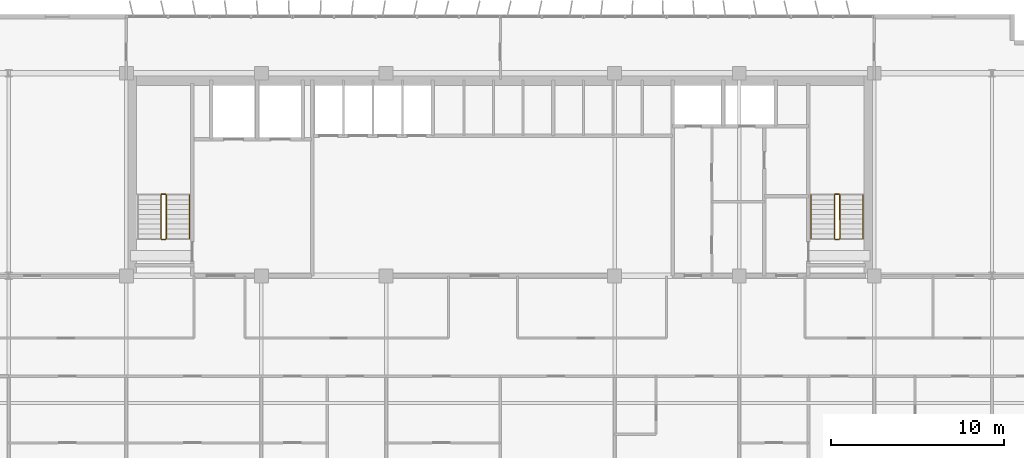
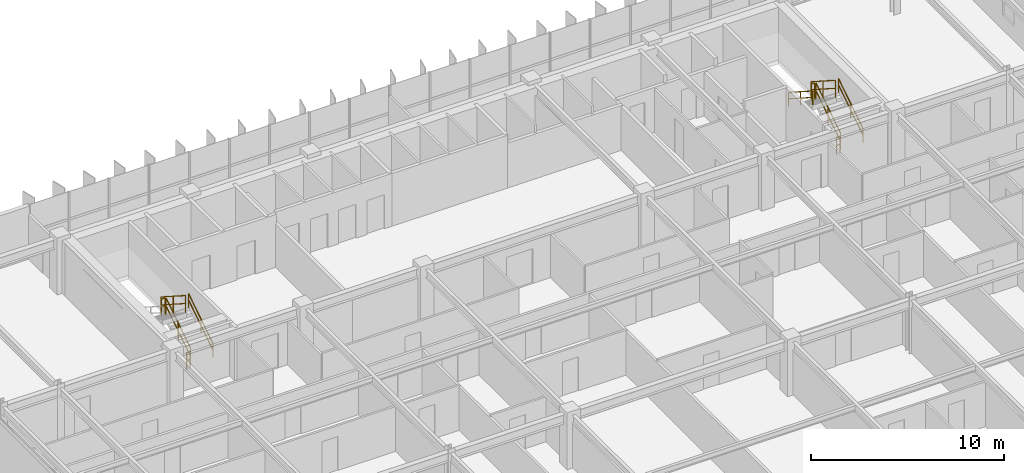
# One storey, part 20 of 21: 11 railings.
"""IFC4 building model written with IfcOpenShell, lengths in metres."""

from ifc_helpers import new_model, si_unit, direction, frame, origin, origin_2d, place, context, subcontext, project, spatial, rectangle, extrude, material, type_object, element, save


model = new_model("IFC4")

# Units and contexts
model_context = context("Model", 3, precision=1e-05, world=origin(), true_north=direction((0.0, 1.0)))
body_context = subcontext(model_context, "Body", "Model", "MODEL_VIEW")
ifc_project = project(units=[si_unit("LENGTHUNIT", "METRE"), si_unit("AREAUNIT", "SQUARE_METRE"), si_unit("VOLUMEUNIT", "CUBIC_METRE"), si_unit("PLANEANGLEUNIT", "RADIAN"), si_unit("MASSUNIT", "GRAM", prefix="KILO")], contexts=[model_context])

# Site, building, storey
site_placement = place(None, origin())
site = spatial("IfcSite", under=ifc_project, at=site_placement, CompositionType="ELEMENT")
building_placement = place(site_placement, origin())
building = spatial("IfcBuilding", under=site, at=building_placement, Name="Trelvane Seafront Commons", CompositionType="ELEMENT")
storey_placement = place(building_placement, frame((0.0, 0.0, 106.89990234375)))
storey = spatial("IfcBuildingStorey", under=building, at=storey_placement, Name="L27", CompositionType="ELEMENT", Elevation=106.89990234375)

# Railings
ifc_material = material(Name="Stainless steel balustrade", Category="steel")
railing_type_1 = type_object("IfcRailingType", Name="ARCH-SRL-GUARD", PredefinedType="GUARDRAIL", material=ifc_material)
railing_1_placement = place(storey_placement, frame((17.89990234375, 35.550048828125, 0.18017578125)))
element("IfcRailing", 1, at=railing_1_placement, inside=storey, type_object=railing_type_1, Name="L27 ST-1 stair guard 1", PredefinedType="GUARDRAIL", context=body_context, shape_type="SweptSolid", body=[
    extrude(rectangle(XDim=0.048095703125, YDim=0.048095703125, at=origin_2d()), frame((0.0, 0.0, 1.076171875), z_axis=(0.0, 0.841199657755, 0.540724639528), x_axis=(-1.0, 0.0, 0.0)), (0.0, 0.0, 1.0), 2.995849609375),
    extrude(rectangle(XDim=0.048095703125, YDim=0.048095703125, at=origin_2d()), frame((0.0, 0.0, 0.572021484375), z_axis=(0.0, 0.841199657755, 0.540724639528), x_axis=(-1.0, 0.0, 0.0)), (0.0, 0.0, 1.0), 2.995849609375),
    extrude(rectangle(XDim=0.0419921875, YDim=0.0419921875, at=origin_2d()), origin(), (0.0, 0.0, 1.0), 1.076171875),
    extrude(rectangle(XDim=0.0419921875, YDim=0.0419921875, at=origin_2d()), frame((0.0, 1.260009765625, 0.81005859375)), (0.0, 0.0, 1.0), 1.076171875),
    extrude(rectangle(XDim=0.0419921875, YDim=0.0419921875, at=origin_2d()), frame((0.0, 2.52001953125, 1.619873046875)), (0.0, 0.0, 1.0), 1.076171875),
])
railing_2_placement = place(storey_placement, frame((17.85009765625, 38.1201171875, 1.800048828125)))
element("IfcRailing", 2, at=railing_2_placement, inside=storey, type_object=railing_type_1, Name="L27 ST-1 stair guard 2", PredefinedType="GUARDRAIL", context=body_context, shape_type="SweptSolid", body=[
    extrude(rectangle(XDim=0.048095703125, YDim=0.048095703125, at=origin_2d()), frame((0.0, 0.0, 1.076171875), z_axis=(-1.0, 0.0, 0.0), x_axis=(0.0, -1.0, 0.0)), (0.0, 0.0, 1.0), 0.2001953125),
    extrude(rectangle(XDim=0.048095703125, YDim=0.048095703125, at=origin_2d()), frame((0.0, 0.0, 0.572021484375), z_axis=(-1.0, 0.0, 0.0), x_axis=(0.0, -1.0, 0.0)), (0.0, 0.0, 1.0), 0.2001953125),
    extrude(rectangle(XDim=0.0419921875, YDim=0.0419921875, at=origin_2d()), origin(), (0.0, 0.0, 1.0), 1.076171875),
    extrude(rectangle(XDim=0.0419921875, YDim=0.0419921875, at=origin_2d()), frame((-0.2001953125, 0.0, 0.0)), (0.0, 0.0, 1.0), 1.076171875),
])
railing_3_placement = place(storey_placement, frame((17.60009765625, 38.070068359375, 1.97998046875)))
element("IfcRailing", 3, at=railing_3_placement, inside=storey, type_object=railing_type_1, Name="L27 ST-1 stair guard 3", PredefinedType="GUARDRAIL", context=body_context, shape_type="SweptSolid", body=[
    extrude(rectangle(XDim=0.048095703125, YDim=0.048095703125, at=origin_2d()), frame((0.0, 0.0, 1.076171875), z_axis=(0.0, -0.841162588446, 0.540782303519), x_axis=(1.0, 0.0, 0.0)), (0.0, 0.0, 1.0), 2.995849609375),
    extrude(rectangle(XDim=0.048095703125, YDim=0.048095703125, at=origin_2d()), frame((0.0, 0.0, 0.572021484375), z_axis=(0.0, -0.841162588446, 0.540782303519), x_axis=(1.0, 0.0, 0.0)), (0.0, 0.0, 1.0), 2.995849609375),
    extrude(rectangle(XDim=0.0419921875, YDim=0.0419921875, at=origin_2d()), origin(), (0.0, 0.0, 1.0), 1.076171875),
    extrude(rectangle(XDim=0.0419921875, YDim=0.0419921875, at=origin_2d()), frame((0.0, -1.260009765625, 0.81005859375)), (0.0, 0.0, 1.0), 1.076171875),
    extrude(rectangle(XDim=0.0419921875, YDim=0.0419921875, at=origin_2d()), frame((0.0, -2.52001953125, 1.6201171875)), (0.0, 0.0, 1.0), 1.076171875),
])
railing_4_placement = place(storey_placement, frame((17.85009765625, 35.5, 0.0)))
element("IfcRailing", 4, at=railing_4_placement, inside=storey, type_object=railing_type_1, Name="L27 ST-1 stair guard 4", PredefinedType="GUARDRAIL", context=body_context, shape_type="SweptSolid", body=[
    extrude(rectangle(XDim=0.048095703125, YDim=0.048095703125, at=origin_2d()), frame((0.0, 0.0, 1.076171875), z_axis=(-1.0, 0.0, 0.0), x_axis=(0.0, -1.0, 0.0)), (0.0, 0.0, 1.0), 0.2001953125),
    extrude(rectangle(XDim=0.048095703125, YDim=0.048095703125, at=origin_2d()), frame((0.0, 0.0, 0.572021484375), z_axis=(-1.0, 0.0, 0.0), x_axis=(0.0, -1.0, 0.0)), (0.0, 0.0, 1.0), 0.2001953125),
    extrude(rectangle(XDim=0.0419921875, YDim=0.0419921875, at=origin_2d()), origin(), (0.0, 0.0, 1.0), 1.076171875),
    extrude(rectangle(XDim=0.0419921875, YDim=0.0419921875, at=origin_2d()), frame((-0.2001953125, 0.0, 0.0)), (0.0, 0.0, 1.0), 1.076171875),
])
railing_5_placement = place(storey_placement, frame((56.800048828125, 35.550048828125, 0.18017578125)))
element("IfcRailing", 5, at=railing_5_placement, inside=storey, type_object=railing_type_1, Name="L27 ST-2 stair guard 1", PredefinedType="GUARDRAIL", context=body_context, shape_type="SweptSolid", body=[
    extrude(rectangle(XDim=0.048095703125, YDim=0.048095703125, at=origin_2d()), frame((0.0, 0.0, 1.076171875), z_axis=(0.0, 0.841199657755, 0.540724639528), x_axis=(-1.0, 0.0, 0.0)), (0.0, 0.0, 1.0), 2.995849609375),
    extrude(rectangle(XDim=0.048095703125, YDim=0.048095703125, at=origin_2d()), frame((0.0, 0.0, 0.572021484375), z_axis=(0.0, 0.841199657755, 0.540724639528), x_axis=(-1.0, 0.0, 0.0)), (0.0, 0.0, 1.0), 2.995849609375),
    extrude(rectangle(XDim=0.0419921875, YDim=0.0419921875, at=origin_2d()), origin(), (0.0, 0.0, 1.0), 1.076171875),
    extrude(rectangle(XDim=0.0419921875, YDim=0.0419921875, at=origin_2d()), frame((0.0, 1.260009765625, 0.81005859375)), (0.0, 0.0, 1.0), 1.076171875),
    extrude(rectangle(XDim=0.0419921875, YDim=0.0419921875, at=origin_2d()), frame((0.0, 2.52001953125, 1.619873046875)), (0.0, 0.0, 1.0), 1.076171875),
])
railing_6_placement = place(storey_placement, frame((56.75, 38.1201171875, 1.800048828125)))
element("IfcRailing", 6, at=railing_6_placement, inside=storey, type_object=railing_type_1, Name="L27 ST-2 stair guard 2", PredefinedType="GUARDRAIL", context=body_context, shape_type="SweptSolid", body=[
    extrude(rectangle(XDim=0.048095703125, YDim=0.048095703125, at=origin_2d()), frame((0.0, 0.0, 1.076171875), z_axis=(-1.0, 0.0, 0.0), x_axis=(0.0, -1.0, 0.0)), (0.0, 0.0, 1.0), 0.199951171875),
    extrude(rectangle(XDim=0.048095703125, YDim=0.048095703125, at=origin_2d()), frame((0.0, 0.0, 0.572021484375), z_axis=(-1.0, 0.0, 0.0), x_axis=(0.0, -1.0, 0.0)), (0.0, 0.0, 1.0), 0.199951171875),
    extrude(rectangle(XDim=0.0419921875, YDim=0.0419921875, at=origin_2d()), origin(), (0.0, 0.0, 1.0), 1.076171875),
    extrude(rectangle(XDim=0.0419921875, YDim=0.0419921875, at=origin_2d()), frame((-0.199951171875, 0.0, 0.0)), (0.0, 0.0, 1.0), 1.076171875),
])
railing_7_placement = place(storey_placement, frame((56.5, 38.070068359375, 1.97998046875)))
element("IfcRailing", 7, at=railing_7_placement, inside=storey, type_object=railing_type_1, Name="L27 ST-2 stair guard 3", PredefinedType="GUARDRAIL", context=body_context, shape_type="SweptSolid", body=[
    extrude(rectangle(XDim=0.048095703125, YDim=0.048095703125, at=origin_2d()), frame((0.0, 0.0, 1.076171875), z_axis=(0.0, -0.841162588446, 0.540782303519), x_axis=(1.0, 0.0, 0.0)), (0.0, 0.0, 1.0), 2.995849609375),
    extrude(rectangle(XDim=0.048095703125, YDim=0.048095703125, at=origin_2d()), frame((0.0, 0.0, 0.572021484375), z_axis=(0.0, -0.841162588446, 0.540782303519), x_axis=(1.0, 0.0, 0.0)), (0.0, 0.0, 1.0), 2.995849609375),
    extrude(rectangle(XDim=0.0419921875, YDim=0.0419921875, at=origin_2d()), origin(), (0.0, 0.0, 1.0), 1.076171875),
    extrude(rectangle(XDim=0.0419921875, YDim=0.0419921875, at=origin_2d()), frame((0.0, -1.260009765625, 0.81005859375)), (0.0, 0.0, 1.0), 1.076171875),
    extrude(rectangle(XDim=0.0419921875, YDim=0.0419921875, at=origin_2d()), frame((0.0, -2.52001953125, 1.6201171875)), (0.0, 0.0, 1.0), 1.076171875),
])
railing_8_placement = place(storey_placement, frame((56.75, 35.5, 0.0)))
element("IfcRailing", 8, at=railing_8_placement, inside=storey, type_object=railing_type_1, Name="L27 ST-2 stair guard 4", PredefinedType="GUARDRAIL", context=body_context, shape_type="SweptSolid", body=[
    extrude(rectangle(XDim=0.048095703125, YDim=0.048095703125, at=origin_2d()), frame((0.0, 0.0, 1.076171875), z_axis=(-1.0, 0.0, 0.0), x_axis=(0.0, -1.0, 0.0)), (0.0, 0.0, 1.0), 0.199951171875),
    extrude(rectangle(XDim=0.048095703125, YDim=0.048095703125, at=origin_2d()), frame((0.0, 0.0, 0.572021484375), z_axis=(-1.0, 0.0, 0.0), x_axis=(0.0, -1.0, 0.0)), (0.0, 0.0, 1.0), 0.199951171875),
    extrude(rectangle(XDim=0.0419921875, YDim=0.0419921875, at=origin_2d()), origin(), (0.0, 0.0, 1.0), 1.076171875),
    extrude(rectangle(XDim=0.0419921875, YDim=0.0419921875, at=origin_2d()), frame((-0.199951171875, 0.0, 0.0)), (0.0, 0.0, 1.0), 1.076171875),
])
railing_type_2 = type_object("IfcRailingType", Name="ARCH-SRL-HAND", PredefinedType="HANDRAIL", material=ifc_material)
for number, where, name in (
    (9, (19.25, 35.550048828125, 0.18017578125), "L27 ST-1 stair handrail 1"),
    (10, (58.14990234375, 35.550048828125, 0.18017578125), "L27 ST-2 stair handrail 1"),
):
    element("IfcRailing", number, at=place(storey_placement, frame(where)), inside=storey, type_object=railing_type_2, Name=name, PredefinedType="HANDRAIL", context=body_context, shape_type="SweptSolid", body=[
        extrude(rectangle(XDim=0.048095703125, YDim=0.048095703125, at=origin_2d()), frame((0.0, 0.0, 0.8759765625), z_axis=(0.0, 0.841199657755, 0.540724639528), x_axis=(-1.0, 0.0, 0.0)), (0.0, 0.0, 1.0), 2.995849609375),
        extrude(rectangle(XDim=0.048095703125, YDim=0.048095703125, at=origin_2d()), frame((0.0, 0.0, 0.468017578125), z_axis=(0.0, 0.841199657755, 0.540724639528), x_axis=(-1.0, 0.0, 0.0)), (0.0, 0.0, 1.0), 2.995849609375),
        extrude(rectangle(XDim=0.0419921875, YDim=0.0419921875, at=origin_2d()), origin(), (0.0, 0.0, 1.0), 0.8759765625),
        extrude(rectangle(XDim=0.0419921875, YDim=0.0419921875, at=origin_2d()), frame((0.0, 1.260009765625, 0.81005859375)), (0.0, 0.0, 1.0), 0.8759765625),
        extrude(rectangle(XDim=0.0419921875, YDim=0.0419921875, at=origin_2d()), frame((0.0, 2.52001953125, 1.619873046875)), (0.0, 0.0, 1.0), 0.8759765625),
    ])
railing_9_placement = place(storey_placement, frame((55.14990234375, 38.070068359375, 1.97998046875)))
element("IfcRailing", 11, at=railing_9_placement, inside=storey, type_object=railing_type_2, Name="L27 ST-2 stair handrail 2", PredefinedType="HANDRAIL", context=body_context, shape_type="SweptSolid", body=[
    extrude(rectangle(XDim=0.048095703125, YDim=0.048095703125, at=origin_2d()), frame((0.0, 0.0, 0.8759765625), z_axis=(0.0, -0.841162588446, 0.540782303519), x_axis=(1.0, 0.0, 0.0)), (0.0, 0.0, 1.0), 2.995849609375),
    extrude(rectangle(XDim=0.048095703125, YDim=0.048095703125, at=origin_2d()), frame((0.0, 0.0, 0.468017578125), z_axis=(0.0, -0.841162588446, 0.540782303519), x_axis=(1.0, 0.0, 0.0)), (0.0, 0.0, 1.0), 2.995849609375),
    extrude(rectangle(XDim=0.0419921875, YDim=0.0419921875, at=origin_2d()), origin(), (0.0, 0.0, 1.0), 0.8759765625),
    extrude(rectangle(XDim=0.0419921875, YDim=0.0419921875, at=origin_2d()), frame((0.0, -1.260009765625, 0.81005859375)), (0.0, 0.0, 1.0), 0.8759765625),
    extrude(rectangle(XDim=0.0419921875, YDim=0.0419921875, at=origin_2d()), frame((0.0, -2.52001953125, 1.6201171875)), (0.0, 0.0, 1.0), 0.8759765625),
])

save(model, "model.ifc")
